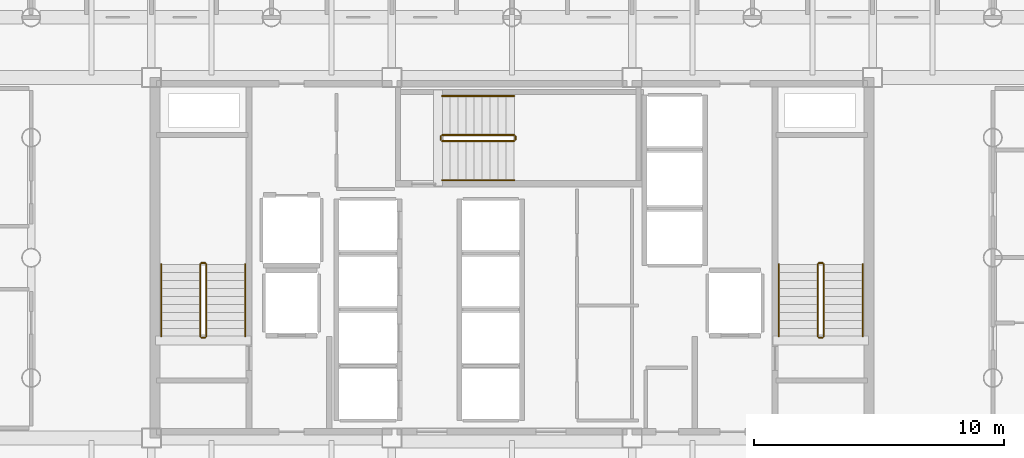
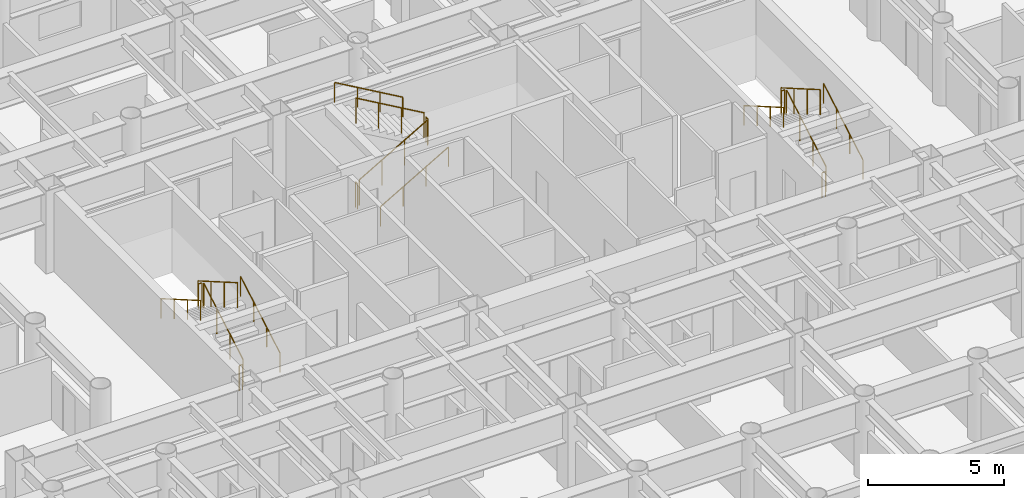
# One storey, part 23 of 24: 18 railings.
"""IFC4 building model written with IfcOpenShell, lengths in metres."""

from ifc_helpers import new_model, si_unit, direction, frame, origin, origin_2d, place, context, subcontext, project, spatial, circle, extrude, material, layer, layer_set, type_object, element, save


model = new_model("IFC4")

# Units and contexts
model_context = context("Model", 3, precision=1e-05, world=origin(), true_north=direction((0.0, 1.0)))
body_context = subcontext(model_context, "Body", "Model", "MODEL_VIEW")
ifc_project = project(units=[si_unit("LENGTHUNIT", "METRE"), si_unit("AREAUNIT", "SQUARE_METRE"), si_unit("VOLUMEUNIT", "CUBIC_METRE"), si_unit("PLANEANGLEUNIT", "RADIAN"), si_unit("MASSUNIT", "GRAM", prefix="KILO")], contexts=[model_context])

# Site, building, storey
site_placement = place(None, origin())
site = spatial("IfcSite", under=ifc_project, at=site_placement, CompositionType="ELEMENT")
building_placement = place(site_placement, origin())
building = spatial("IfcBuilding", under=site, at=building_placement, Name="Kallvorn Hotel Tower", CompositionType="ELEMENT")
storey_placement = place(building_placement, frame((0.0, 0.0, 30.0)))
storey = spatial("IfcBuildingStorey", under=building, at=storey_placement, Name="L05", CompositionType="ELEMENT", Elevation=30.0)

# Railings
ifc_material_1 = material(Name="Brushed stainless-steel tubular railing", Category="steel")
ifc_layer_1 = layer(ifc_material_1, 0.050048828125)
ifc_layer_set_1 = layer_set([ifc_layer_1], Name="RL_STAIR_GUARD")
railing_type_1 = type_object("IfcRailingType", Name="RL_STAIR_GUARD", PredefinedType="GUARDRAIL", material=ifc_layer_set_1)
railing_1_placement = place(storey_placement, frame((-12.2099609375, -3.139892578125, 0.18505859375)))
element("IfcRailing", 1, at=railing_1_placement, inside=storey, type_object=railing_type_1, Name="L05 ST1 stair guard 1", PredefinedType="GUARDRAIL", context=body_context, shape_type="SweptSolid", body=[
    extrude(circle(Radius=0.02392578125, at=origin_2d()), frame((0.0, 0.0, 1.1259765625), z_axis=(0.0, 0.865720918037, 0.500527014328), x_axis=(-1.0, 0.0, 0.0)), (0.0, 0.0, 1.0), 3.32666015625),
    extrude(circle(Radius=0.02099609375, at=origin_2d()), origin(), (0.0, 0.0, 1.0), 1.101806640625),
    extrude(circle(Radius=0.02099609375, at=origin_2d()), frame((0.0, 0.9599609375, 0.554931640625)), (0.0, 0.0, 1.0), 1.101806640625),
    extrude(circle(Radius=0.02099609375, at=origin_2d()), frame((0.0, 1.919921875, 1.110107421875)), (0.0, 0.0, 1.0), 1.101806640625),
    extrude(circle(Radius=0.02099609375, at=origin_2d()), frame((0.0, 2.8798828125, 1.6650390625)), (0.0, 0.0, 1.0), 1.101806640625),
])
railing_2_placement = place(storey_placement, frame((-12.260009765625, -0.2099609375, 1.85009765625)))
element("IfcRailing", 2, at=railing_2_placement, inside=storey, type_object=railing_type_1, Name="L05 ST1 stair guard 2", PredefinedType="GUARDRAIL", context=body_context, shape_type="SweptSolid", body=[
    extrude(circle(Radius=0.02392578125, at=origin_2d()), frame((0.0, 0.0, 1.1259765625), z_axis=(-1.0, 0.0, 0.0), x_axis=(0.0, -1.0, 0.0)), (0.0, 0.0, 1.0), 0.139892578125),
    extrude(circle(Radius=0.02099609375, at=origin_2d()), origin(), (0.0, 0.0, 1.0), 1.101806640625),
    extrude(circle(Radius=0.02099609375, at=origin_2d()), frame((-0.139892578125, 0.0, 0.0)), (0.0, 0.0, 1.0), 1.101806640625),
])
railing_3_placement = place(storey_placement, frame((-12.449951171875, -0.260009765625, 2.034912109375)))
element("IfcRailing", 3, at=railing_3_placement, inside=storey, type_object=railing_type_1, Name="L05 ST1 stair guard 3", PredefinedType="GUARDRAIL", context=body_context, shape_type="SweptSolid", body=[
    extrude(circle(Radius=0.02392578125, at=origin_2d()), frame((0.0, 0.0, 1.1259765625), z_axis=(0.0, -0.865720918037, 0.500527014328), x_axis=(1.0, 0.0, 0.0)), (0.0, 0.0, 1.0), 3.32666015625),
    extrude(circle(Radius=0.02099609375, at=origin_2d()), origin(), (0.0, 0.0, 1.0), 1.101806640625),
    extrude(circle(Radius=0.02099609375, at=origin_2d()), frame((0.0, -0.9599609375, 0.554931640625)), (0.0, 0.0, 1.0), 1.101806640625),
    extrude(circle(Radius=0.02099609375, at=origin_2d()), frame((0.0, -1.919921875, 1.110107421875)), (0.0, 0.0, 1.0), 1.101806640625),
    extrude(circle(Radius=0.02099609375, at=origin_2d()), frame((0.0, -2.8798828125, 1.6650390625)), (0.0, 0.0, 1.0), 1.101806640625),
])
railing_4_placement = place(storey_placement, frame((-12.260009765625, -3.18994140625, 0.0)))
element("IfcRailing", 4, at=railing_4_placement, inside=storey, type_object=railing_type_1, Name="L05 ST1 stair guard 4", PredefinedType="GUARDRAIL", context=body_context, shape_type="SweptSolid", body=[
    extrude(circle(Radius=0.02392578125, at=origin_2d()), frame((0.0, 0.0, 1.1259765625), z_axis=(-1.0, 0.0, 0.0), x_axis=(0.0, -1.0, 0.0)), (0.0, 0.0, 1.0), 0.139892578125),
    extrude(circle(Radius=0.02099609375, at=origin_2d()), origin(), (0.0, 0.0, 1.0), 1.101806640625),
    extrude(circle(Radius=0.02099609375, at=origin_2d()), frame((-0.139892578125, 0.0, 0.0)), (0.0, 0.0, 1.0), 1.101806640625),
])
railing_5_placement = place(storey_placement, frame((12.449951171875, -3.139892578125, 0.18505859375)))
element("IfcRailing", 5, at=railing_5_placement, inside=storey, type_object=railing_type_1, Name="L05 ST2 stair guard 1", PredefinedType="GUARDRAIL", context=body_context, shape_type="SweptSolid", body=[
    extrude(circle(Radius=0.02392578125, at=origin_2d()), frame((0.0, 0.0, 1.1259765625), z_axis=(0.0, 0.865720918037, 0.500527014328), x_axis=(-1.0, 0.0, 0.0)), (0.0, 0.0, 1.0), 3.32666015625),
    extrude(circle(Radius=0.02099609375, at=origin_2d()), origin(), (0.0, 0.0, 1.0), 1.101806640625),
    extrude(circle(Radius=0.02099609375, at=origin_2d()), frame((0.0, 0.9599609375, 0.554931640625)), (0.0, 0.0, 1.0), 1.101806640625),
    extrude(circle(Radius=0.02099609375, at=origin_2d()), frame((0.0, 1.919921875, 1.110107421875)), (0.0, 0.0, 1.0), 1.101806640625),
    extrude(circle(Radius=0.02099609375, at=origin_2d()), frame((0.0, 2.8798828125, 1.6650390625)), (0.0, 0.0, 1.0), 1.101806640625),
])
railing_6_placement = place(storey_placement, frame((12.39990234375, -0.2099609375, 1.85009765625)))
element("IfcRailing", 6, at=railing_6_placement, inside=storey, type_object=railing_type_1, Name="L05 ST2 stair guard 2", PredefinedType="GUARDRAIL", context=body_context, shape_type="SweptSolid", body=[
    extrude(circle(Radius=0.02392578125, at=origin_2d()), frame((0.0, 0.0, 1.1259765625), z_axis=(-1.0, 0.0, 0.0), x_axis=(0.0, -1.0, 0.0)), (0.0, 0.0, 1.0), 0.139892578125),
    extrude(circle(Radius=0.02099609375, at=origin_2d()), origin(), (0.0, 0.0, 1.0), 1.101806640625),
    extrude(circle(Radius=0.02099609375, at=origin_2d()), frame((-0.139892578125, 0.0, 0.0)), (0.0, 0.0, 1.0), 1.101806640625),
])
railing_7_placement = place(storey_placement, frame((12.2099609375, -0.260009765625, 2.034912109375)))
element("IfcRailing", 7, at=railing_7_placement, inside=storey, type_object=railing_type_1, Name="L05 ST2 stair guard 3", PredefinedType="GUARDRAIL", context=body_context, shape_type="SweptSolid", body=[
    extrude(circle(Radius=0.02392578125, at=origin_2d()), frame((0.0, 0.0, 1.1259765625), z_axis=(0.0, -0.865720918037, 0.500527014328), x_axis=(1.0, 0.0, 0.0)), (0.0, 0.0, 1.0), 3.32666015625),
    extrude(circle(Radius=0.02099609375, at=origin_2d()), origin(), (0.0, 0.0, 1.0), 1.101806640625),
    extrude(circle(Radius=0.02099609375, at=origin_2d()), frame((0.0, -0.9599609375, 0.554931640625)), (0.0, 0.0, 1.0), 1.101806640625),
    extrude(circle(Radius=0.02099609375, at=origin_2d()), frame((0.0, -1.919921875, 1.110107421875)), (0.0, 0.0, 1.0), 1.101806640625),
    extrude(circle(Radius=0.02099609375, at=origin_2d()), frame((0.0, -2.8798828125, 1.6650390625)), (0.0, 0.0, 1.0), 1.101806640625),
])
railing_8_placement = place(storey_placement, frame((12.39990234375, -3.18994140625, 0.0)))
element("IfcRailing", 8, at=railing_8_placement, inside=storey, type_object=railing_type_1, Name="L05 ST2 stair guard 4", PredefinedType="GUARDRAIL", context=body_context, shape_type="SweptSolid", body=[
    extrude(circle(Radius=0.02392578125, at=origin_2d()), frame((0.0, 0.0, 1.1259765625), z_axis=(-1.0, 0.0, 0.0), x_axis=(0.0, -1.0, 0.0)), (0.0, 0.0, 1.0), 0.139892578125),
    extrude(circle(Radius=0.02099609375, at=origin_2d()), origin(), (0.0, 0.0, 1.0), 1.101806640625),
    extrude(circle(Radius=0.02099609375, at=origin_2d()), frame((-0.139892578125, 0.0, 0.0)), (0.0, 0.0, 1.0), 1.101806640625),
])
railing_9_placement = place(storey_placement, frame((-2.7900390625, 4.659912109375, 0.18505859375)))
element("IfcRailing", 9, at=railing_9_placement, inside=storey, type_object=railing_type_1, Name="L05 ST3 stair guard 1", PredefinedType="GUARDRAIL", context=body_context, shape_type="SweptSolid", body=[
    extrude(circle(Radius=0.02392578125, at=origin_2d()), frame((0.0, 0.0, 1.1259765625), z_axis=(0.865739302748, 0.0, 0.50049521444), x_axis=(0.0, 1.0, 0.0)), (0.0, 0.0, 1.0), 3.326904296875),
    extrude(circle(Radius=0.02099609375, at=origin_2d()), origin(), (0.0, 0.0, 1.0), 1.101806640625),
    extrude(circle(Radius=0.02099609375, at=origin_2d()), frame((0.9599609375, 0.0, 0.554931640625)), (0.0, 0.0, 1.0), 1.101806640625),
    extrude(circle(Radius=0.02099609375, at=origin_2d()), frame((1.920166015625, 0.0, 1.110107421875)), (0.0, 0.0, 1.0), 1.101806640625),
    extrude(circle(Radius=0.02099609375, at=origin_2d()), frame((2.880126953125, 0.0, 1.6650390625)), (0.0, 0.0, 1.0), 1.101806640625),
])
railing_10_placement = place(storey_placement, frame((0.139892578125, 4.7099609375, 1.85009765625)))
element("IfcRailing", 10, at=railing_10_placement, inside=storey, type_object=railing_type_1, Name="L05 ST3 stair guard 2", PredefinedType="GUARDRAIL", context=body_context, shape_type="SweptSolid", body=[
    extrude(circle(Radius=0.02392578125, at=origin_2d()), frame((0.0, 0.0, 1.1259765625), z_axis=(0.0, 1.0, 0.0), x_axis=(-1.0, 0.0, 0.0)), (0.0, 0.0, 1.0), 0.14013671875),
    extrude(circle(Radius=0.02099609375, at=origin_2d()), origin(), (0.0, 0.0, 1.0), 1.101806640625),
    extrude(circle(Radius=0.02099609375, at=origin_2d()), frame((0.0, 0.14013671875, 0.0)), (0.0, 0.0, 1.0), 1.101806640625),
])
railing_11_placement = place(storey_placement, frame((0.090087890625, 4.89990234375, 2.034912109375)))
element("IfcRailing", 11, at=railing_11_placement, inside=storey, type_object=railing_type_1, Name="L05 ST3 stair guard 3", PredefinedType="GUARDRAIL", context=body_context, shape_type="SweptSolid", body=[
    extrude(circle(Radius=0.02392578125, at=origin_2d()), frame((0.0, 0.0, 1.1259765625), z_axis=(-0.865739302748, 0.0, 0.50049521444), x_axis=(0.0, -1.0, 0.0)), (0.0, 0.0, 1.0), 3.326904296875),
    extrude(circle(Radius=0.02099609375, at=origin_2d()), origin(), (0.0, 0.0, 1.0), 1.101806640625),
    extrude(circle(Radius=0.02099609375, at=origin_2d()), frame((-0.9599609375, 0.0, 0.554931640625)), (0.0, 0.0, 1.0), 1.101806640625),
    extrude(circle(Radius=0.02099609375, at=origin_2d()), frame((-1.920166015625, 0.0, 1.110107421875)), (0.0, 0.0, 1.0), 1.101806640625),
    extrude(circle(Radius=0.02099609375, at=origin_2d()), frame((-2.880126953125, 0.0, 1.6650390625)), (0.0, 0.0, 1.0), 1.101806640625),
])
railing_12_placement = place(storey_placement, frame((-2.840087890625, 4.7099609375, 0.0)))
element("IfcRailing", 12, at=railing_12_placement, inside=storey, type_object=railing_type_1, Name="L05 ST3 stair guard 4", PredefinedType="GUARDRAIL", context=body_context, shape_type="SweptSolid", body=[
    extrude(circle(Radius=0.02392578125, at=origin_2d()), frame((0.0, 0.0, 1.1259765625), z_axis=(0.0, 1.0, 0.0), x_axis=(-1.0, 0.0, 0.0)), (0.0, 0.0, 1.0), 0.14013671875),
    extrude(circle(Radius=0.02099609375, at=origin_2d()), origin(), (0.0, 0.0, 1.0), 1.101806640625),
    extrude(circle(Radius=0.02099609375, at=origin_2d()), frame((0.0, 0.14013671875, 0.0)), (0.0, 0.0, 1.0), 1.101806640625),
])
ifc_material_2 = material(Name="Brushed stainless-steel tubular railing", Category="steel")
ifc_layer_2 = layer(ifc_material_2, 0.050048828125)
ifc_layer_set_2 = layer_set([ifc_layer_2], Name="RL_STAIR_HAND")
railing_type_2 = type_object("IfcRailingType", Name="RL_STAIR_HAND", PredefinedType="HANDRAIL", material=ifc_layer_set_2)
railing_13_placement = place(storey_placement, frame((-10.64990234375, -3.139892578125, 0.18505859375)))
element("IfcRailing", 13, at=railing_13_placement, inside=storey, type_object=railing_type_2, Name="L05 ST1 stair handrail 1", PredefinedType="HANDRAIL", context=body_context, shape_type="SweptSolid", body=[
    extrude(circle(Radius=0.02392578125, at=origin_2d()), frame((0.0, 0.0, 0.8759765625), z_axis=(0.0, 0.865720918037, 0.500527014328), x_axis=(-1.0, 0.0, 0.0)), (0.0, 0.0, 1.0), 3.32666015625),
    extrude(circle(Radius=0.02099609375, at=origin_2d()), origin(), (0.0, 0.0, 1.0), 0.851806640625),
    extrude(circle(Radius=0.02099609375, at=origin_2d()), frame((0.0, 0.9599609375, 0.554931640625)), (0.0, 0.0, 1.0), 0.851806640625),
    extrude(circle(Radius=0.02099609375, at=origin_2d()), frame((0.0, 1.919921875, 1.110107421875)), (0.0, 0.0, 1.0), 0.851806640625),
    extrude(circle(Radius=0.02099609375, at=origin_2d()), frame((0.0, 2.8798828125, 1.6650390625)), (0.0, 0.0, 1.0), 0.851806640625),
])
railing_14_placement = place(storey_placement, frame((-14.010009765625, -0.260009765625, 2.034912109375)))
element("IfcRailing", 14, at=railing_14_placement, inside=storey, type_object=railing_type_2, Name="L05 ST1 stair handrail 2", PredefinedType="HANDRAIL", context=body_context, shape_type="SweptSolid", body=[
    extrude(circle(Radius=0.02392578125, at=origin_2d()), frame((0.0, 0.0, 0.8759765625), z_axis=(0.0, -0.865720918037, 0.500527014328), x_axis=(1.0, 0.0, 0.0)), (0.0, 0.0, 1.0), 3.32666015625),
    extrude(circle(Radius=0.02099609375, at=origin_2d()), origin(), (0.0, 0.0, 1.0), 0.851806640625),
    extrude(circle(Radius=0.02099609375, at=origin_2d()), frame((0.0, -0.9599609375, 0.554931640625)), (0.0, 0.0, 1.0), 0.851806640625),
    extrude(circle(Radius=0.02099609375, at=origin_2d()), frame((0.0, -1.919921875, 1.110107421875)), (0.0, 0.0, 1.0), 0.851806640625),
    extrude(circle(Radius=0.02099609375, at=origin_2d()), frame((0.0, -2.8798828125, 1.6650390625)), (0.0, 0.0, 1.0), 0.851806640625),
])
railing_15_placement = place(storey_placement, frame((14.010009765625, -3.139892578125, 0.18505859375)))
element("IfcRailing", 15, at=railing_15_placement, inside=storey, type_object=railing_type_2, Name="L05 ST2 stair handrail 1", PredefinedType="HANDRAIL", context=body_context, shape_type="SweptSolid", body=[
    extrude(circle(Radius=0.02392578125, at=origin_2d()), frame((0.0, 0.0, 0.8759765625), z_axis=(0.0, 0.865720918037, 0.500527014328), x_axis=(-1.0, 0.0, 0.0)), (0.0, 0.0, 1.0), 3.32666015625),
    extrude(circle(Radius=0.02099609375, at=origin_2d()), origin(), (0.0, 0.0, 1.0), 0.851806640625),
    extrude(circle(Radius=0.02099609375, at=origin_2d()), frame((0.0, 0.9599609375, 0.554931640625)), (0.0, 0.0, 1.0), 0.851806640625),
    extrude(circle(Radius=0.02099609375, at=origin_2d()), frame((0.0, 1.919921875, 1.110107421875)), (0.0, 0.0, 1.0), 0.851806640625),
    extrude(circle(Radius=0.02099609375, at=origin_2d()), frame((0.0, 2.8798828125, 1.6650390625)), (0.0, 0.0, 1.0), 0.851806640625),
])
railing_16_placement = place(storey_placement, frame((10.64990234375, -0.260009765625, 2.034912109375)))
element("IfcRailing", 16, at=railing_16_placement, inside=storey, type_object=railing_type_2, Name="L05 ST2 stair handrail 2", PredefinedType="HANDRAIL", context=body_context, shape_type="SweptSolid", body=[
    extrude(circle(Radius=0.02392578125, at=origin_2d()), frame((0.0, 0.0, 0.8759765625), z_axis=(0.0, -0.865720918037, 0.500527014328), x_axis=(1.0, 0.0, 0.0)), (0.0, 0.0, 1.0), 3.32666015625),
    extrude(circle(Radius=0.02099609375, at=origin_2d()), origin(), (0.0, 0.0, 1.0), 0.851806640625),
    extrude(circle(Radius=0.02099609375, at=origin_2d()), frame((0.0, -0.9599609375, 0.554931640625)), (0.0, 0.0, 1.0), 0.851806640625),
    extrude(circle(Radius=0.02099609375, at=origin_2d()), frame((0.0, -1.919921875, 1.110107421875)), (0.0, 0.0, 1.0), 0.851806640625),
    extrude(circle(Radius=0.02099609375, at=origin_2d()), frame((0.0, -2.8798828125, 1.6650390625)), (0.0, 0.0, 1.0), 0.851806640625),
])
railing_17_placement = place(storey_placement, frame((-2.7900390625, 3.10009765625, 0.18505859375)))
element("IfcRailing", 17, at=railing_17_placement, inside=storey, type_object=railing_type_2, Name="L05 ST3 stair handrail 1", PredefinedType="HANDRAIL", context=body_context, shape_type="SweptSolid", body=[
    extrude(circle(Radius=0.02392578125, at=origin_2d()), frame((0.0, 0.0, 0.8759765625), z_axis=(0.865739302748, 0.0, 0.50049521444), x_axis=(0.0, 1.0, 0.0)), (0.0, 0.0, 1.0), 3.326904296875),
    extrude(circle(Radius=0.02099609375, at=origin_2d()), origin(), (0.0, 0.0, 1.0), 0.851806640625),
    extrude(circle(Radius=0.02099609375, at=origin_2d()), frame((0.9599609375, 0.0, 0.554931640625)), (0.0, 0.0, 1.0), 0.851806640625),
    extrude(circle(Radius=0.02099609375, at=origin_2d()), frame((1.920166015625, 0.0, 1.110107421875)), (0.0, 0.0, 1.0), 0.851806640625),
    extrude(circle(Radius=0.02099609375, at=origin_2d()), frame((2.880126953125, 0.0, 1.6650390625)), (0.0, 0.0, 1.0), 0.851806640625),
])
railing_18_placement = place(storey_placement, frame((0.090087890625, 6.4599609375, 2.034912109375)))
element("IfcRailing", 18, at=railing_18_placement, inside=storey, type_object=railing_type_2, Name="L05 ST3 stair handrail 2", PredefinedType="HANDRAIL", context=body_context, shape_type="SweptSolid", body=[
    extrude(circle(Radius=0.02392578125, at=origin_2d()), frame((0.0, 0.0, 0.8759765625), z_axis=(-0.865739302748, 0.0, 0.50049521444), x_axis=(0.0, -1.0, 0.0)), (0.0, 0.0, 1.0), 3.326904296875),
    extrude(circle(Radius=0.02099609375, at=origin_2d()), origin(), (0.0, 0.0, 1.0), 0.851806640625),
    extrude(circle(Radius=0.02099609375, at=origin_2d()), frame((-0.9599609375, 0.0, 0.554931640625)), (0.0, 0.0, 1.0), 0.851806640625),
    extrude(circle(Radius=0.02099609375, at=origin_2d()), frame((-1.920166015625, 0.0, 1.110107421875)), (0.0, 0.0, 1.0), 0.851806640625),
    extrude(circle(Radius=0.02099609375, at=origin_2d()), frame((-2.880126953125, 0.0, 1.6650390625)), (0.0, 0.0, 1.0), 0.851806640625),
])

save(model, "model.ifc")
